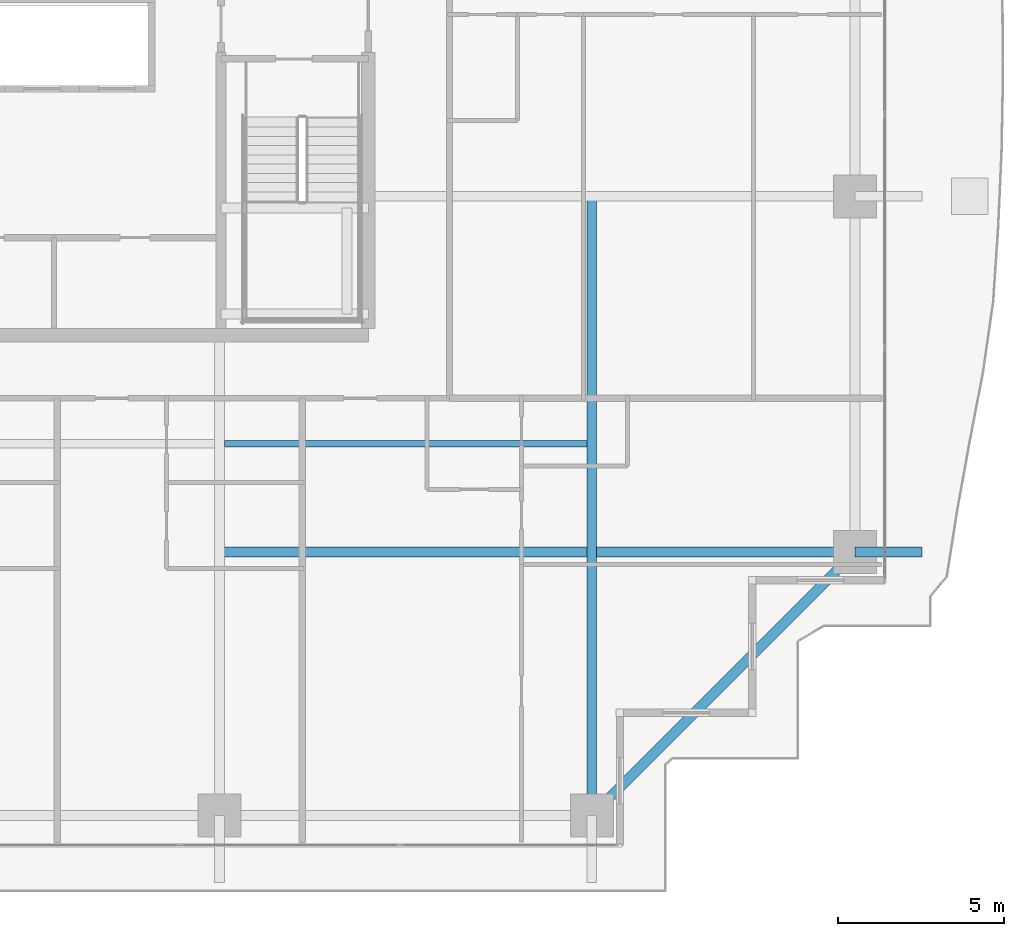
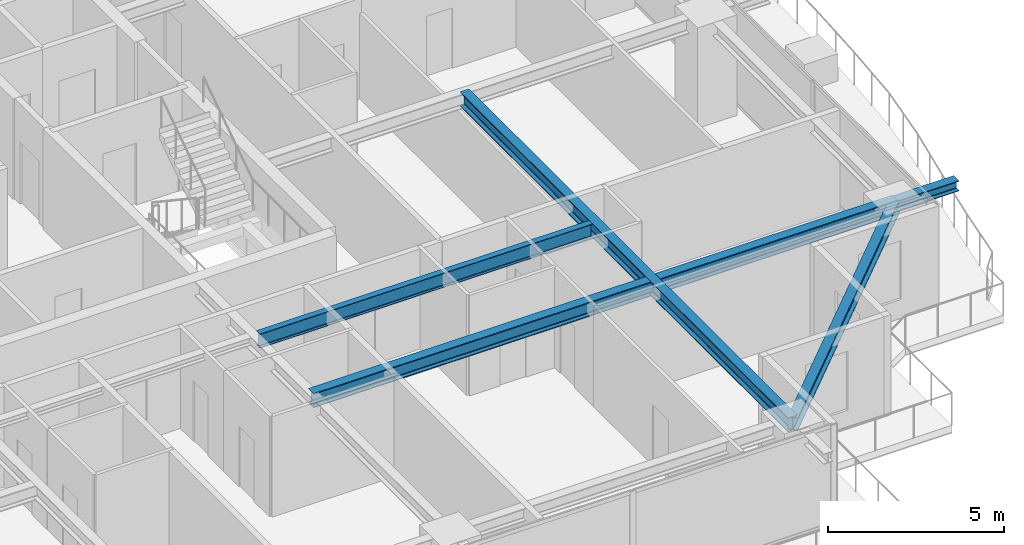
# One storey, part 10 of 33: 5 beams.
"""IFC4 building model written with IfcOpenShell, lengths in metres."""

from ifc_helpers import new_model, si_unit, direction, frame, origin, origin_2d, place, context, subcontext, project, spatial, i_section, extrude, source, transform, mapped, material, material_profile, profile_set, type_object, element, save


model = new_model("IFC4")

# Units and contexts
model_context = context("Model", 3, precision=1e-05, world=origin(), true_north=direction((0.0, 1.0)))
body_context = subcontext(model_context, "Body", "Model", "MODEL_VIEW")
ifc_project = project(units=[si_unit("LENGTHUNIT", "METRE"), si_unit("AREAUNIT", "SQUARE_METRE"), si_unit("VOLUMEUNIT", "CUBIC_METRE"), si_unit("PLANEANGLEUNIT", "RADIAN"), si_unit("MASSUNIT", "GRAM", prefix="KILO")], contexts=[model_context])

# Site, building, storey
site_placement = place(None, origin())
site = spatial("IfcSite", under=ifc_project, at=site_placement, CompositionType="ELEMENT")
building_placement = place(site_placement, origin())
building = spatial("IfcBuilding", under=site, at=building_placement, Name="Serunith Strait Residences", CompositionType="ELEMENT")
storey_placement = place(building_placement, frame((0.0, 0.0, 150.14990234375)))
storey = spatial("IfcBuildingStorey", under=building, at=storey_placement, Name="L37", CompositionType="ELEMENT", Elevation=150.14990234375)

# Beams
ifc_material = material(Name="Steel S355J2", Category="steel")
ifc_material_profile_1 = material_profile(ifc_material, i_section(OverallWidth=0.300048828125, OverallDepth=0.5, WebThickness=0.014404296875, FlangeThickness=0.028076171875, FilletRadius=0.027099609375, at=origin_2d()), Name="HEB 500")
ifc_profile_set_1 = profile_set([ifc_material_profile_1], Name="Steel S355J2")
beam_type_1 = type_object("IfcBeamType", Name="BM-HEB500", PredefinedType="BEAM", material=ifc_profile_set_1)
shared_shape_1 = source(origin(), body_context, "Body", "SweptSolid", [
    extrude(i_section(OverallWidth=0.300048828125, OverallDepth=0.5, WebThickness=0.014404296875, FlangeThickness=0.028076171875, FilletRadius=0.027099609375, at=origin_2d()), origin(), (0.0, 0.0, 1.0), 18.699951171875),
])
beam_1_placement = place(storey_placement, frame((48.14990234375, 21.0, 3.237060546875), z_axis=(0.0, -1.0, 0.0), x_axis=(1.0, 0.0, 0.0)))
element("IfcBeam", 1, at=beam_1_placement, inside=storey, type_object=beam_type_1, Name="L37 Orthogonal Corner Girder TC-S4", PredefinedType="BEAM", context=body_context, shape_type="MappedRepresentation", body=[
    mapped(shared_shape_1, transform((0.0, 0.0, 0.0), scale=1.0)),
])
shared_shape_2 = source(origin(), body_context, "Body", "SweptSolid", [
    extrude(i_section(OverallWidth=0.300048828125, OverallDepth=0.5, WebThickness=0.014404296875, FlangeThickness=0.028076171875, FilletRadius=0.027099609375, at=origin_2d()), origin(), (0.0, 0.0, 1.0), 19.2001953125),
])
beam_2_placement = place(storey_placement, frame((36.89990234375, 10.25, 3.237060546875), z_axis=(1.0, 0.0, 0.0), x_axis=(0.0, 1.0, 0.0)))
element("IfcBeam", 2, at=beam_2_placement, inside=storey, type_object=beam_type_1, Name="L37 Orthogonal Corner Girder TC-E1", PredefinedType="BEAM", context=body_context, shape_type="MappedRepresentation", body=[
    mapped(shared_shape_2, transform((0.0, 0.0, 0.0), scale=1.0)),
])
ifc_material_profile_2 = material_profile(ifc_material, i_section(OverallWidth=0.300048828125, OverallDepth=0.449951171875, WebThickness=0.013916015625, FlangeThickness=0.02587890625, FilletRadius=0.027099609375, at=origin_2d()), Name="HEB 450")
ifc_profile_set_2 = profile_set([ifc_material_profile_2], Name="Steel S355J2")
beam_type_2 = type_object("IfcBeamType", Name="BM-HEB450", PredefinedType="BEAM", material=ifc_profile_set_2)
shared_shape_3 = source(origin(), body_context, "Body", "SweptSolid", [
    extrude(i_section(OverallWidth=0.300048828125, OverallDepth=0.449951171875, WebThickness=0.013916015625, FlangeThickness=0.02587890625, FilletRadius=0.027099609375, at=origin_2d()), origin(), (0.0, 0.0, 1.0), 11.2431640625),
])
beam_3_placement = place(storey_placement, frame((48.14990234375, 2.300048828125, 3.232177734375), z_axis=(0.707117638455, 0.707095923751, 0.0), x_axis=(-0.707095923751, 0.707117638455, 0.0)))
element("IfcBeam", 3, at=beam_3_placement, inside=storey, type_object=beam_type_2, Name="L37 Perimeter Ring Beam 04", PredefinedType="BEAM", context=body_context, shape_type="MappedRepresentation", body=[
    mapped(shared_shape_3, transform((0.0, 0.0, 0.0), scale=1.0)),
])
ifc_material_profile_3 = material_profile(ifc_material, i_section(OverallWidth=0.199951171875, OverallDepth=0.5, WebThickness=0.01025390625, FlangeThickness=0.01611328125, FilletRadius=0.02099609375, at=origin_2d()), Name="IPE 500")
ifc_profile_set_3 = profile_set([ifc_material_profile_3], Name="Steel S355J2")
beam_type_3 = type_object("IfcBeamType", Name="BM-IPE500", PredefinedType="JOIST", material=ifc_profile_set_3)
shared_shape_4 = source(origin(), body_context, "Body", "SweptSolid", [
    extrude(i_section(OverallWidth=0.199951171875, OverallDepth=0.5, WebThickness=0.01025390625, FlangeThickness=0.01611328125, FilletRadius=0.02099609375, at=origin_2d()), origin(), (0.0, 0.0, 1.0), 10.949951171875),
])
beam_4_placement = place(storey_placement, frame((37.050048828125, 13.52490234375, 3.237060546875), z_axis=(1.0, 0.0, 0.0), x_axis=(0.0, 1.0, 0.0)))
element("IfcBeam", 4, at=beam_4_placement, inside=storey, type_object=beam_type_3, Name="L37 Composite Floor Joist 03", PredefinedType="JOIST", context=body_context, shape_type="MappedRepresentation", body=[
    mapped(shared_shape_4, transform((0.0, 0.0, 0.0), scale=1.0)),
])
ifc_material_profile_4 = material_profile(ifc_material, i_section(OverallWidth=0.300048828125, OverallDepth=0.360107421875, WebThickness=0.012451171875, FlangeThickness=0.0224609375, FilletRadius=0.027099609375, at=origin_2d()), Name="HEB 360")
ifc_profile_set_4 = profile_set([ifc_material_profile_4], Name="Steel S355J2")
beam_type_4 = type_object("IfcBeamType", Name="BM-HEB360", PredefinedType="BEAM", material=ifc_profile_set_4)
shared_shape_5 = source(origin(), body_context, "Body", "SweptSolid", [
    extrude(i_section(OverallWidth=0.300048828125, OverallDepth=0.360107421875, WebThickness=0.012451171875, FlangeThickness=0.0224609375, FilletRadius=0.027099609375, at=origin_2d()), origin(), (0.0, 0.0, 1.0), 2.02978515625),
])
beam_5_placement = place(storey_placement, frame((56.10009765625, 10.25, 3.277099609375), z_axis=(1.0, 0.0, 0.0), x_axis=(0.0, 1.0, 0.0)))
element("IfcBeam", 5, at=beam_5_placement, inside=storey, type_object=beam_type_4, Name="L38 Cantilevered Balcony Rib TC-E1", PredefinedType="BEAM", context=body_context, shape_type="MappedRepresentation", body=[
    mapped(shared_shape_5, transform((0.0, 0.0, 0.0), scale=1.0)),
])

save(model, "model.ifc")
